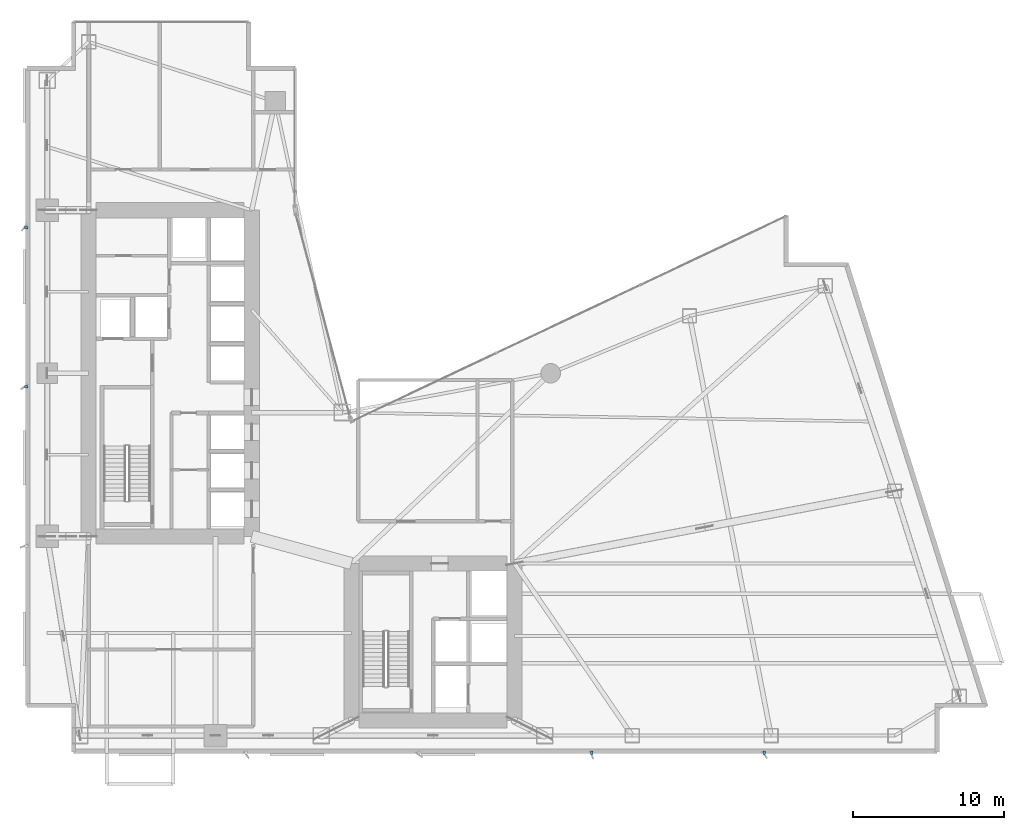
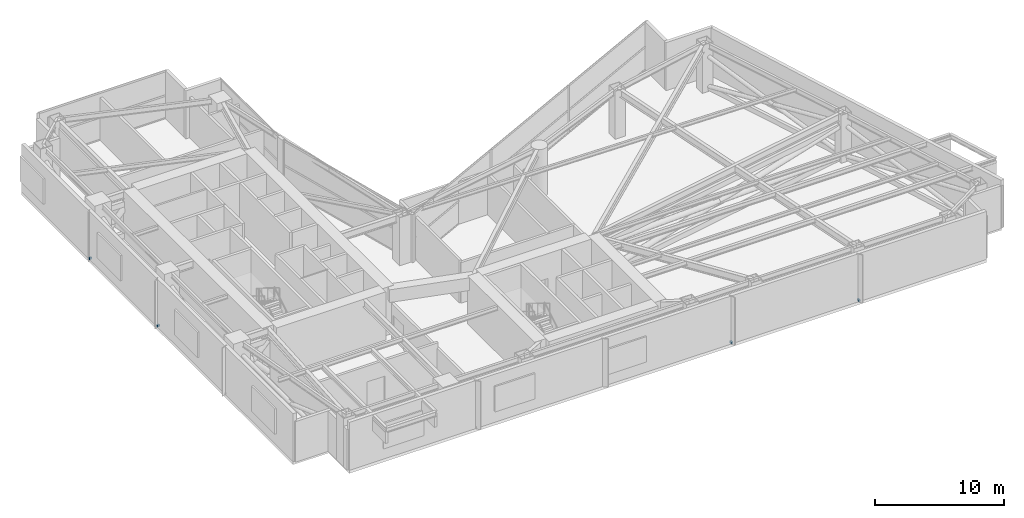
# One storey, part 16 of 18: 4 discrete accessories.
"""IFC4 building model written with IfcOpenShell, lengths in metres."""

from ifc_helpers import new_model, si_unit, direction, frame, origin, origin_2d, place, context, subcontext, project, spatial, rectangle, extrude, material, type_object, element, save


model = new_model("IFC4")

# Units and contexts
model_context = context("Model", 3, precision=1e-05, world=origin(), true_north=direction((0.0, 1.0)))
body_context = subcontext(model_context, "Body", "Model", "MODEL_VIEW")
ifc_project = project(units=[si_unit("LENGTHUNIT", "METRE"), si_unit("AREAUNIT", "SQUARE_METRE"), si_unit("VOLUMEUNIT", "CUBIC_METRE"), si_unit("PLANEANGLEUNIT", "RADIAN"), si_unit("MASSUNIT", "GRAM", prefix="KILO")], contexts=[model_context])

# Site, building, storey
site_placement = place(None, origin())
site = spatial("IfcSite", under=ifc_project, at=site_placement, CompositionType="ELEMENT")
building_placement = place(site_placement, origin())
building = spatial("IfcBuilding", under=site, at=building_placement, Name="Calvorn Quay Hotel", CompositionType="ELEMENT")
storey_placement = place(building_placement, frame((0.0, 0.0, 46.0)))
storey = spatial("IfcBuildingStorey", under=building, at=storey_placement, Name="L10", CompositionType="ELEMENT", Elevation=46.0)

# Discrete accessories
ifc_material = material(Name="Steel Q355B", Category="steel")
discrete_accessory_type = type_object("IfcDiscreteAccessoryType", Name="ACC-FIN-BRACKET", PredefinedType="BRACKET", material=ifc_material)
for number, where, z_axis, x_axis, name in (
    (1, (0.06005859375, 26.699951171875, 0.0302734375), (0.0, 0.0, 1.0), (1.0, 0.0, 0.0), "Fin Anchor Bracket L10-W02"),
    (2, (0.06005859375, 37.25, 0.0302734375), (0.0, 0.0, 1.0), (1.0, 0.0, 0.0), "Fin Anchor Bracket L10-W03"),
    (3, (37.52001953125, 2.4599609375, 0.0302734375), (0.0, 0.0, 1.0), (0.0, 1.0, 0.0), "Fin Anchor Bracket L10-S03"),
    (4, (48.9599609375, 2.4599609375, 0.0302734375), (0.0, 0.0, 1.0), (0.0, 1.0, 0.0), "Fin Anchor Bracket L10-S04"),
):
    element("IfcDiscreteAccessory", number, at=place(storey_placement, frame(where, z_axis=z_axis, x_axis=x_axis)), inside=storey, type_object=discrete_accessory_type, Name=name, PredefinedType="BRACKET", context=body_context, shape_type="SweptSolid", body=[
        extrude(rectangle(XDim=0.239990234375, YDim=0.159912109375, at=origin_2d()), origin(), (0.0, 0.0, 1.0), 0.179931640625),
    ])

save(model, "model.ifc")
